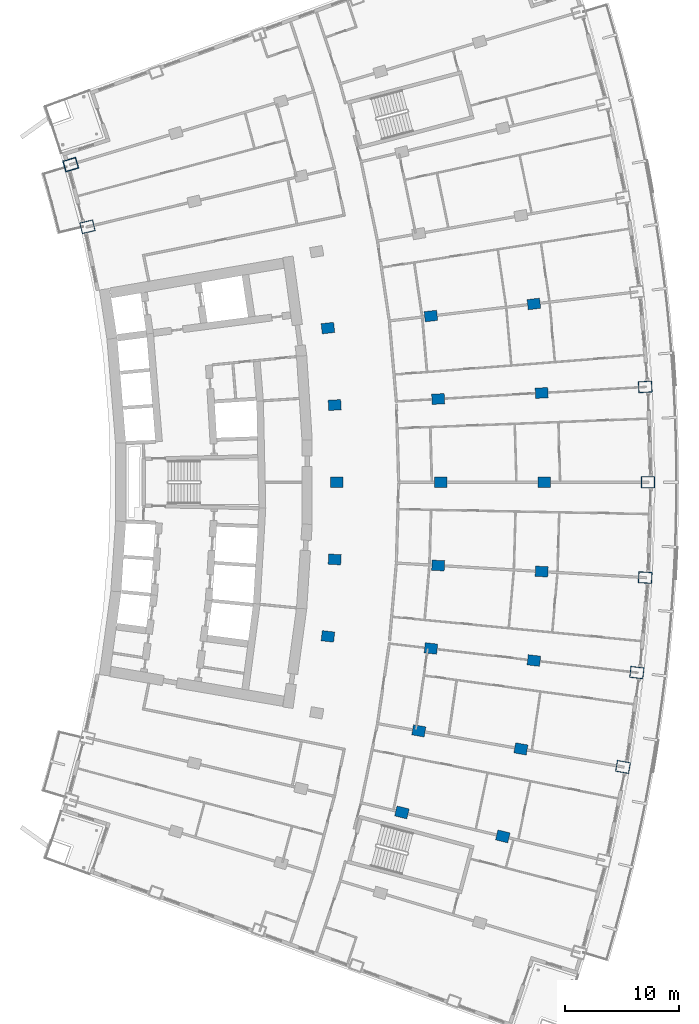
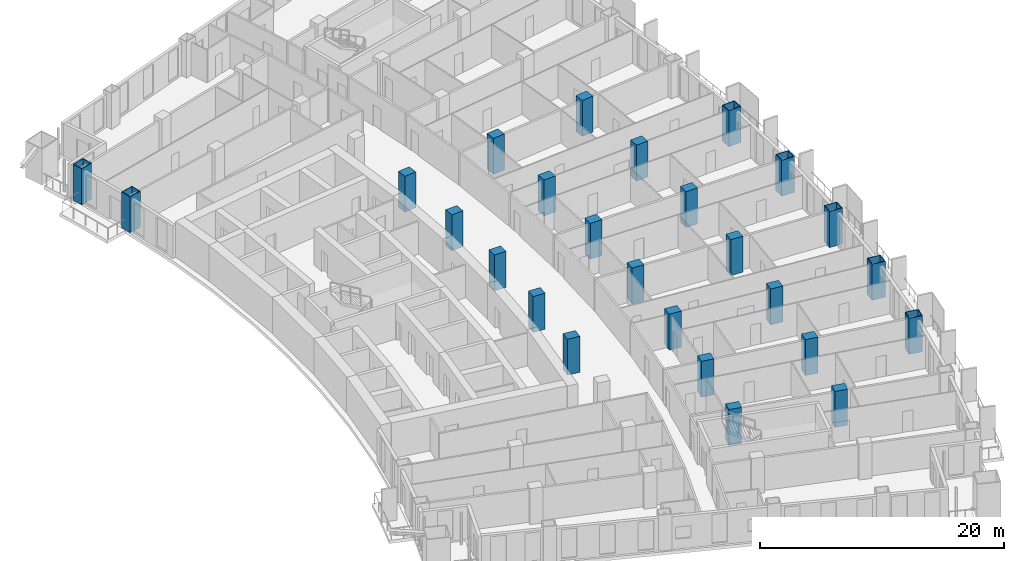
# One storey, part 6 of 25: 26 columns.
"""IFC4 building model written with IfcOpenShell, lengths in metres."""

from ifc_helpers import new_model, si_unit, direction, frame, origin, origin_2d, place, context, subcontext, project, spatial, rectangle, hollow_rectangle, extrude, material, material_profile, profile_set, type_object, element, save


model = new_model("IFC4")

# Units and contexts
model_context = context("Model", 3, precision=1e-05, world=origin(), true_north=direction((0.0, 1.0)))
body_context = subcontext(model_context, "Body", "Model", "MODEL_VIEW")
ifc_project = project(units=[si_unit("LENGTHUNIT", "METRE"), si_unit("AREAUNIT", "SQUARE_METRE"), si_unit("VOLUMEUNIT", "CUBIC_METRE"), si_unit("PLANEANGLEUNIT", "RADIAN"), si_unit("MASSUNIT", "GRAM", prefix="KILO")], contexts=[model_context])

# Site, building, storey
site_placement = place(None, origin())
site = spatial("IfcSite", under=ifc_project, at=site_placement, CompositionType="ELEMENT")
building_placement = place(site_placement, origin())
building = spatial("IfcBuilding", under=site, at=building_placement, Name="Alderwake Tower", CompositionType="ELEMENT")
storey_placement = place(building_placement, frame((0.0, 0.0, 46.39990234375)))
storey = spatial("IfcBuildingStorey", under=building, at=storey_placement, Name="L10", CompositionType="ELEMENT", Elevation=46.39990234375)

# Columns
ifc_material_1 = material(Name="Concrete C70/85", Category="concrete")
ifc_material_profile_1 = material_profile(ifc_material_1, rectangle(XDim=0.89990234375, YDim=1.10009765625, at=origin_2d()), Name="RC 1100X900")
ifc_profile_set_1 = profile_set([ifc_material_profile_1], Name="Concrete C70/85")
column_type_1 = type_object("IfcColumnType", Name="Interior column Z1", PredefinedType="COLUMN", material=ifc_profile_set_1)
for number, where, z_axis, x_axis, name in (
    (1, (41.48291015625, 32.128173828125, 0.0), (0.0, 0.0, 1.0), (0.231221547198, 0.972901123502, 0.0), "Column R03-C3"),
    (2, (50.3037109375, 30.03173828125, 0.0), (0.0, 0.0, 1.0), (0.231221547198, 0.972901123502, 0.0), "Column R03-C4"),
    (3, (42.959716796875, 39.259765625, 0.0), (0.0, 0.0, 1.0), (0.174108800747, 0.984726421654, 0.0), "Column R04-C3"),
    (4, (51.8876953125, 37.68115234375, 0.0), (0.0, 0.0, 1.0), (0.174108800747, 0.984726421654, 0.0), "Column R04-C4"),
    (5, (35.0126953125, 47.5205078125, 0.0), (0.0, 0.0, 1.0), (0.116402054316, 0.993202175668, 0.0), "Column R05-C2"),
    (6, (44.017822265625, 46.465087890625, 0.0), (0.0, 0.0, 1.0), (0.116402054316, 0.993202175668, 0.0), "Column R05-C3"),
    (7, (53.022705078125, 45.409912109375, 0.0), (0.0, 0.0, 1.0), (0.116402054316, 0.993202175668, 0.0), "Column R05-C4"),
    (8, (35.60302734375, 54.248779296875, 0.0), (0.0, 0.0, 1.0), (0.058301061284, 0.998299046505, 0.0), "Column R06-C2"),
    (9, (44.654296875, 53.72021484375, 0.0), (0.0, 0.0, 1.0), (0.058301061284, 0.998299046505, 0.0), "Column R06-C3"),
    (10, (53.70556640625, 53.191650390625, 0.0), (0.0, 0.0, 1.0), (0.058299318924, 0.998299148258, 0.0), "Column R06-C4"),
    (11, (35.800048828125, 61.0, 0.0), (0.0, 0.0, 1.0), (0.0, 1.0, 0.0), "Column R07-C2"),
    (12, (44.86669921875, 61.0, 0.0), (0.0, 0.0, 1.0), (0.0, 1.0, 0.0), "Column R07-C3"),
    (13, (53.933349609375, 61.0, 0.0), (0.0, 0.0, 1.0), (0.0, 1.0, 0.0), "Column R07-C4"),
    (14, (35.60302734375, 67.751220703125, 0.0), (0.0, 0.0, 1.0), (-0.058301061284, 0.998299046505, 0.0), "Column R08-C2"),
    (15, (44.654296875, 68.27978515625, 0.0), (0.0, 0.0, 1.0), (-0.058301061284, 0.998299046505, 0.0), "Column R08-C3"),
    (16, (53.70556640625, 68.808349609375, 0.0), (0.0, 0.0, 1.0), (-0.058299318924, 0.998299148258, 0.0), "Column R08-C4"),
    (17, (35.0126953125, 74.4794921875, 0.0), (0.0, 0.0, 1.0), (-0.116402054316, 0.993202175668, 0.0), "Column R09-C2"),
    (18, (44.017822265625, 75.534912109375, 0.0), (0.0, 0.0, 1.0), (-0.116402054316, 0.993202175668, 0.0), "Column R09-C3"),
    (19, (53.022705078125, 76.590087890625, 0.0), (0.0, 0.0, 1.0), (-0.116402054316, 0.993202175668, 0.0), "Column R09-C4"),
):
    element("IfcColumn", number, at=place(storey_placement, frame(where, z_axis=z_axis, x_axis=x_axis)), inside=storey, type_object=column_type_1, Name=name, PredefinedType="COLUMN", context=body_context, shape_type="SweptSolid", body=[
        extrude(rectangle(XDim=0.89990234375, YDim=1.10009765625, at=origin_2d()), origin(), (0.0, 0.0, 1.0), 3.60009765625),
    ])
ifc_material_2 = material(Name="Steel ASTM A572 Grade 50 concrete filled C70/85", Category="concrete")
ifc_material_profile_2 = material_profile(ifc_material_2, hollow_rectangle(XDim=1.0, YDim=1.199951171875, WallThickness=0.06005859375, at=origin_2d()), Name="BOX 1200X1000X60")
ifc_profile_set_2 = profile_set([ifc_material_profile_2], Name="Steel ASTM A572 Grade 50 concrete filled C70/85")
column_type_2 = type_object("IfcColumnType", Name="Perimeter column Z1", PredefinedType="COLUMN", material=ifc_profile_set_2)
for number, where, z_axis, x_axis, name in (
    (20, (60.81591796875, 36.1025390625, 0.0), (0.0, 0.0, 1.0), (0.174108800747, 0.984726421654, 0.0), "Column R04-C5"),
    (21, (62.02783203125, 44.3544921875, 0.0), (0.0, 0.0, 1.0), (0.116402054316, 0.993202175668, 0.0), "Column R05-C5"),
    (22, (62.7568359375, 52.6630859375, 0.0), (0.0, 0.0, 1.0), (0.058299318924, 0.998299148258, 0.0), "Column R06-C5"),
    (23, (63.0, 61.0, 0.0), (0.0, 0.0, 1.0), (0.0, 1.0, 0.0), "Column R07-C5"),
    (24, (62.7568359375, 69.3369140625, 0.0), (0.0, 0.0, 1.0), (-0.058299318924, 0.998299148258, 0.0), "Column R08-C5"),
    (25, (13.982177734375, 83.3359375, 0.0), (0.0, 0.0, 1.0), (-0.231221547198, 0.972901123502, 0.0), "Column R11-C0"),
    (26, (12.520263671875, 88.777099609375, 0.0), (0.0, 0.0, 1.0), (-0.287549418125, 0.957765802342, 0.0), "Column R12-C0"),
):
    element("IfcColumn", number, at=place(storey_placement, frame(where, z_axis=z_axis, x_axis=x_axis)), inside=storey, type_object=column_type_2, Name=name, PredefinedType="COLUMN", context=body_context, shape_type="SweptSolid", body=[
        extrude(hollow_rectangle(XDim=1.0, YDim=1.199951171875, WallThickness=0.06005859375, at=origin_2d()), origin(), (0.0, 0.0, 1.0), 3.60009765625),
    ])

save(model, "model.ifc")
